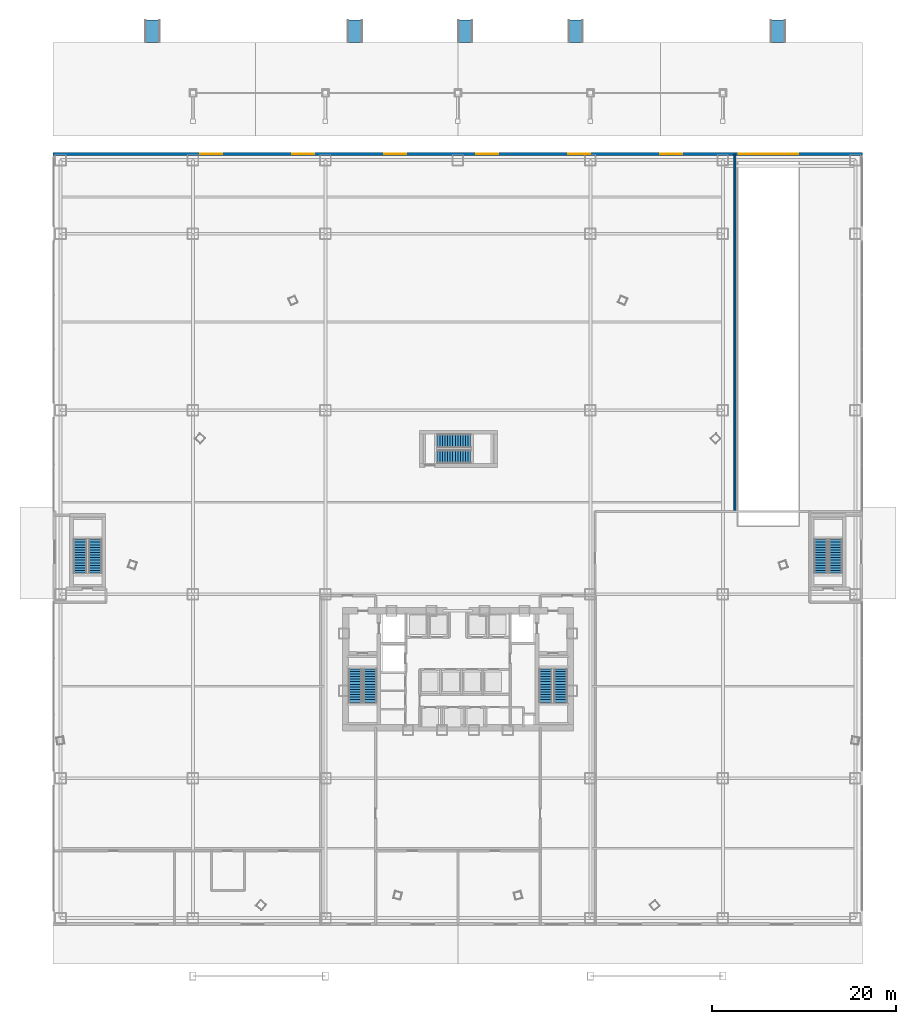
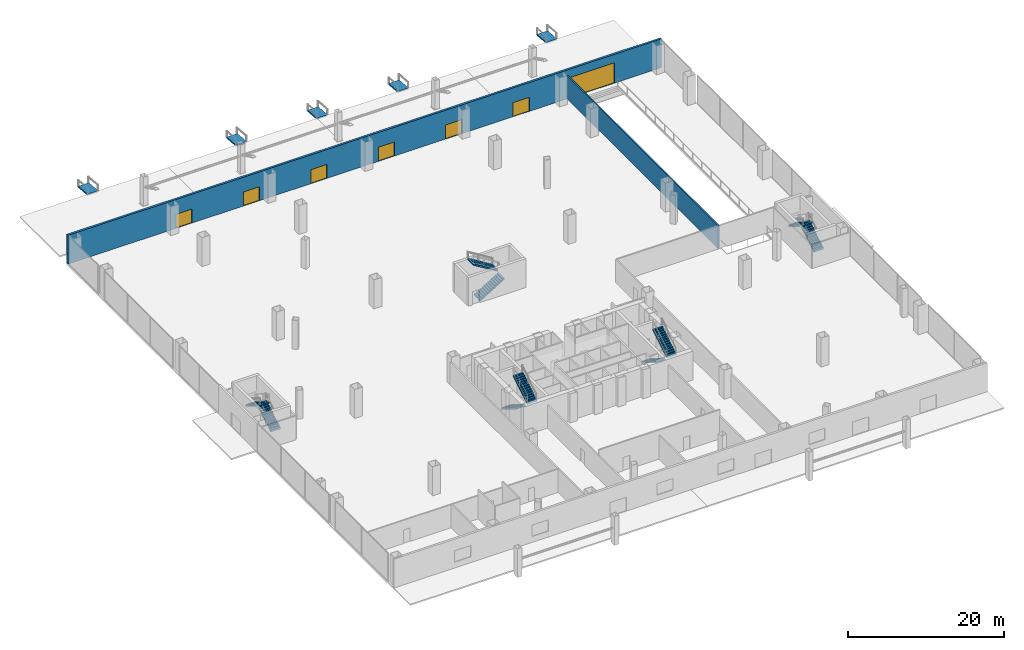
# One storey, part 53 of 58: 10 stair flights, 7 doors, 5 ramp flights, 2 walls, 7 openings, 10 elements without a shape of their own.
"""IFC4 building model written with IfcOpenShell, lengths in metres."""

from ifc_helpers import new_model, si_unit, direction, frame, frame_2d, origin, place, context, subcontext, project, spatial, polyline, rectangle, outline, extrude, source, transform, mapped, material, layer, layer_set, type_object, element, fill, aggregate, save


model = new_model("IFC4")

# Units and contexts
model_context = context("Model", 3, precision=1e-05, world=origin(), true_north=direction((0.0, 1.0)))
body_context = subcontext(model_context, "Body", "Model", "MODEL_VIEW")
ifc_project = project(units=[si_unit("LENGTHUNIT", "METRE"), si_unit("AREAUNIT", "SQUARE_METRE"), si_unit("VOLUMEUNIT", "CUBIC_METRE"), si_unit("PLANEANGLEUNIT", "RADIAN"), si_unit("MASSUNIT", "GRAM", prefix="KILO"), si_unit("THERMODYNAMICTEMPERATUREUNIT", "KELVIN"), si_unit("POWERUNIT", "WATT")], contexts=[model_context])

# Site, building, storey
site_placement = place(None, origin())
site = spatial("IfcSite", under=ifc_project, at=site_placement, CompositionType="ELEMENT")
building_placement = place(site_placement, origin())
building = spatial("IfcBuilding", under=site, at=building_placement, Name="Yunzhuo Pagoda Commons", CompositionType="ELEMENT")
storey_placement = place(building_placement, origin())
storey = spatial("IfcBuildingStorey", under=building, at=storey_placement, Name="L01", CompositionType="ELEMENT", Elevation=0.0)

# Wall, openings, doors
ifc_material_1 = material(Name="Precast concrete C40", Category="concrete")
ifc_layer_1 = layer(ifc_material_1, 0.300048828125)
ifc_layer_set_1 = layer_set([ifc_layer_1], Name="Precast concrete C40")
wall_type_1 = type_object("IfcWallType", Name="W-EXT1 Podium Precast Spandrel Wall 300", PredefinedType="STANDARD", material=ifc_layer_set_1)
wall_1_placement = place(storey_placement, frame((92.0, 89.85009765625, 0.0), z_axis=(0.0, 0.0, 1.0), x_axis=(-1.0, 0.0, 0.0)))
wall_1 = element("IfcWall", 1, at=wall_1_placement, inside=storey, type_object=wall_type_1, Name="L01 north waterfront wall", PredefinedType="STANDARD", context=body_context, shape_type="SweptSolid", body=[
    extrude(rectangle(XDim=88.0, YDim=0.300048828125, at=frame_2d((44.0, 0.0))), origin(), (0.0, 0.0, 1.0), 4.52001953125),
])
opening_1_placement = place(wall_1_placement, frame((69.60009765625, 0.0, 0.0)))
opening_1 = element("IfcOpeningElement", 2, at=opening_1_placement, cuts=wall_1, Name="Opening D-EXT1", PredefinedType="OPENING", context=body_context, shape_type="SweptSolid", body=[
    extrude(rectangle(XDim=2.39990234375, YDim=2.199951171875, at=frame_2d((1.199951171875, 1.10009765625))), frame((0.0, 0.16015625, 0.0), z_axis=(0.0, -1.0, 0.0), x_axis=(1.0, 0.0, 0.0)), (0.0, 0.0, 1.0), 0.320068359375),
])
opening_2_placement = place(wall_1_placement, frame((59.60009765625, 0.0, 0.0)))
opening_2 = element("IfcOpeningElement", 3, at=opening_2_placement, cuts=wall_1, Name="Opening D-EXT1", PredefinedType="OPENING", context=body_context, shape_type="SweptSolid", body=[
    extrude(rectangle(XDim=2.39990234375, YDim=2.199951171875, at=frame_2d((1.199951171875, 1.10009765625))), frame((0.0, 0.16015625, 0.0), z_axis=(0.0, -1.0, 0.0), x_axis=(1.0, 0.0, 0.0)), (0.0, 0.0, 1.0), 0.320068359375),
])
opening_3_placement = place(wall_1_placement, frame((49.60009765625, 0.0, 0.0)))
opening_3 = element("IfcOpeningElement", 4, at=opening_3_placement, cuts=wall_1, Name="Opening D-EXT1", PredefinedType="OPENING", context=body_context, shape_type="SweptSolid", body=[
    extrude(rectangle(XDim=2.39990234375, YDim=2.199951171875, at=frame_2d((1.199951171875, 1.10009765625))), frame((0.0, 0.16015625, 0.0), z_axis=(0.0, -1.0, 0.0), x_axis=(1.0, 0.0, 0.0)), (0.0, 0.0, 1.0), 0.320068359375),
])
opening_4_placement = place(wall_1_placement, frame((39.60009765625, 0.0, 0.0)))
opening_4 = element("IfcOpeningElement", 5, at=opening_4_placement, cuts=wall_1, Name="Opening D-EXT1", PredefinedType="OPENING", context=body_context, shape_type="SweptSolid", body=[
    extrude(rectangle(XDim=2.39990234375, YDim=2.199951171875, at=frame_2d((1.199951171875, 1.10009765625))), frame((0.0, 0.16015625, 0.0), z_axis=(0.0, -1.0, 0.0), x_axis=(1.0, 0.0, 0.0)), (0.0, 0.0, 1.0), 0.320068359375),
])
opening_5_placement = place(wall_1_placement, frame((29.60009765625, 0.0, 0.0)))
opening_5 = element("IfcOpeningElement", 6, at=opening_5_placement, cuts=wall_1, Name="Opening D-EXT1", PredefinedType="OPENING", context=body_context, shape_type="SweptSolid", body=[
    extrude(rectangle(XDim=2.39990234375, YDim=2.199951171875, at=frame_2d((1.199951171875, 1.10009765625))), frame((0.0, 0.16015625, 0.0), z_axis=(0.0, -1.0, 0.0), x_axis=(1.0, 0.0, 0.0)), (0.0, 0.0, 1.0), 0.320068359375),
])
opening_6_placement = place(wall_1_placement, frame((19.60009765625, 0.0, 0.0)))
opening_6 = element("IfcOpeningElement", 7, at=opening_6_placement, cuts=wall_1, Name="Opening D-EXT1", PredefinedType="OPENING", context=body_context, shape_type="SweptSolid", body=[
    extrude(rectangle(XDim=2.39990234375, YDim=2.199951171875, at=frame_2d((1.199951171875, 1.10009765625))), frame((0.0, 0.16015625, 0.0), z_axis=(0.0, -1.0, 0.0), x_axis=(1.0, 0.0, 0.0)), (0.0, 0.0, 1.0), 0.320068359375),
])
opening_7_placement = place(wall_1_placement, frame((7.0, 0.0, 0.0)))
opening_7 = element("IfcOpeningElement", 8, at=opening_7_placement, cuts=wall_1, Name="Opening D-GATE1", PredefinedType="OPENING", context=body_context, shape_type="SweptSolid", body=[
    extrude(rectangle(XDim=6.5, YDim=3.199951171875, at=frame_2d((3.25, 1.60009765625))), frame((0.0, 0.16015625, 0.0), z_axis=(0.0, -1.0, 0.0), x_axis=(1.0, 0.0, 0.0)), (0.0, 0.0, 1.0), 0.320068359375),
])
ifc_material_2 = material(Name="Anodized aluminium frame and tempered glazed leaf", Category="aluminium")
door_type_1 = type_object("IfcDoorType", Name="D-EXT1 Double Glazed Pedestrian Exit Door 2400x2200", OperationType="DOUBLE_DOOR_SINGLE_SWING", PredefinedType="DOOR", material=ifc_material_2)
shared_shape_1 = source(origin(), body_context, "Body", "SweptSolid", [
    extrude(rectangle(XDim=2.39990234375, YDim=2.199951171875, at=frame_2d((1.199951171875, 1.10009765625))), frame((0.0, 0.02490234375, 0.0), z_axis=(0.0, -1.0, 0.0), x_axis=(1.0, 0.0, 0.0)), (0.0, 0.0, 1.0), 0.050048828125),
])
door_1_placement = place(opening_1_placement, frame((2.39990234375, 0.0, 0.0), z_axis=(0.0, 0.0, 1.0), x_axis=(-1.0, 0.0, 0.0)))
door_1 = element("IfcDoor", 9, at=door_1_placement, inside=storey, type_object=door_type_1, Name="Waterfront concourse exit door N1", OperationType="DOUBLE_DOOR_SINGLE_SWING", OverallHeight=2.199951171875, OverallWidth=2.39990234375, PredefinedType="DOOR", context=body_context, shape_type="MappedRepresentation", body=[
    mapped(shared_shape_1, transform((0.0, 0.0, 0.0), scale=1.0)),
])
fill(opening_1, door_1)
door_2_placement = place(opening_2_placement, frame((2.39990234375, 0.0, 0.0), z_axis=(0.0, 0.0, 1.0), x_axis=(-1.0, 0.0, 0.0)))
door_2 = element("IfcDoor", 10, at=door_2_placement, inside=storey, type_object=door_type_1, Name="Waterfront concourse exit door N2", OperationType="DOUBLE_DOOR_SINGLE_SWING", OverallHeight=2.199951171875, OverallWidth=2.39990234375, PredefinedType="DOOR", context=body_context, shape_type="MappedRepresentation", body=[
    mapped(shared_shape_1, transform((0.0, 0.0, 0.0), scale=1.0)),
])
fill(opening_2, door_2)
door_3_placement = place(opening_3_placement, frame((2.39990234375, 0.0, 0.0), z_axis=(0.0, 0.0, 1.0), x_axis=(-1.0, 0.0, 0.0)))
door_3 = element("IfcDoor", 11, at=door_3_placement, inside=storey, type_object=door_type_1, Name="Waterfront concourse exit door N3", OperationType="DOUBLE_DOOR_SINGLE_SWING", OverallHeight=2.199951171875, OverallWidth=2.39990234375, PredefinedType="DOOR", context=body_context, shape_type="MappedRepresentation", body=[
    mapped(shared_shape_1, transform((0.0, 0.0, 0.0), scale=1.0)),
])
fill(opening_3, door_3)
door_4_placement = place(opening_4_placement, frame((2.39990234375, 0.0, 0.0), z_axis=(0.0, 0.0, 1.0), x_axis=(-1.0, 0.0, 0.0)))
door_4 = element("IfcDoor", 12, at=door_4_placement, inside=storey, type_object=door_type_1, Name="Waterfront concourse exit door N4", OperationType="DOUBLE_DOOR_SINGLE_SWING", OverallHeight=2.199951171875, OverallWidth=2.39990234375, PredefinedType="DOOR", context=body_context, shape_type="MappedRepresentation", body=[
    mapped(shared_shape_1, transform((0.0, 0.0, 0.0), scale=1.0)),
])
fill(opening_4, door_4)
door_5_placement = place(opening_5_placement, frame((2.39990234375, 0.0, 0.0), z_axis=(0.0, 0.0, 1.0), x_axis=(-1.0, 0.0, 0.0)))
door_5 = element("IfcDoor", 13, at=door_5_placement, inside=storey, type_object=door_type_1, Name="Waterfront concourse exit door N5", OperationType="DOUBLE_DOOR_SINGLE_SWING", OverallHeight=2.199951171875, OverallWidth=2.39990234375, PredefinedType="DOOR", context=body_context, shape_type="MappedRepresentation", body=[
    mapped(shared_shape_1, transform((0.0, 0.0, 0.0), scale=1.0)),
])
fill(opening_5, door_5)
door_6_placement = place(opening_6_placement, frame((2.39990234375, 0.0, 0.0), z_axis=(0.0, 0.0, 1.0), x_axis=(-1.0, 0.0, 0.0)))
door_6 = element("IfcDoor", 14, at=door_6_placement, inside=storey, type_object=door_type_1, Name="Waterfront concourse exit door N6", OperationType="DOUBLE_DOOR_SINGLE_SWING", OverallHeight=2.199951171875, OverallWidth=2.39990234375, PredefinedType="DOOR", context=body_context, shape_type="MappedRepresentation", body=[
    mapped(shared_shape_1, transform((0.0, 0.0, 0.0), scale=1.0)),
])
fill(opening_6, door_6)
ifc_material_3 = material(Name="Powder-coated aluminium roller shutter slats", Category="aluminium")
door_type_2 = type_object("IfcDoorType", Name="D-GATE1 Vehicle Ramp Roller Shutter Gate 6500x3200", OperationType="ROLLINGUP", PredefinedType="GATE", material=ifc_material_3)
shared_shape_2 = source(origin(), body_context, "Body", "SweptSolid", [
    extrude(rectangle(XDim=6.5, YDim=3.199951171875, at=frame_2d((3.25, 1.60009765625))), frame((0.0, 0.02490234375, 0.0), z_axis=(0.0, -1.0, 0.0), x_axis=(1.0, 0.0, 0.0)), (0.0, 0.0, 1.0), 0.050048828125),
])
door_7_placement = place(opening_7_placement, frame((6.5, 0.0, 0.0), z_axis=(0.0, 0.0, 1.0), x_axis=(-1.0, 0.0, 0.0)))
door_7 = element("IfcDoor", 15, at=door_7_placement, inside=storey, type_object=door_type_2, Name="Car park vehicle ramp roller shutter gate D-GATE1", OperationType="ROLLINGUP", OverallHeight=3.199951171875, OverallWidth=6.5, PredefinedType="GATE", context=body_context, shape_type="MappedRepresentation", body=[
    mapped(shared_shape_2, transform((0.0, 0.0, 0.0), scale=1.0)),
])
fill(opening_7, door_7)

# Wall
ifc_material_4 = material(Name="Concrete C40", Category="concrete")
ifc_layer_2 = layer(ifc_material_4, 0.199951171875)
ifc_layer_set_2 = layer_set([ifc_layer_2], Name="Concrete C40")
wall_type_2 = type_object("IfcWallType", Name="W-SHF Shaft & Stair Enclosure Wall 200", PredefinedType="SOLIDWALL", material=ifc_layer_set_2)
wall_2_placement = place(storey_placement, frame((78.10009765625, 51.0, 0.0), z_axis=(0.0, 0.0, 1.0), x_axis=(0.0, 1.0, 0.0)))
element("IfcWall", 16, at=wall_2_placement, inside=storey, type_object=wall_type_2, Name="L01 interior wall IW-L01-RMPW", PredefinedType="SOLIDWALL", context=body_context, shape_type="SweptSolid", body=[
    extrude(rectangle(XDim=38.85009765625, YDim=0.199951171875, at=frame_2d((19.425048828125, 0.0))), origin(), (0.0, 0.0, 1.0), 3.6201171875),
])

# Stair, stair flights
stair_type_1 = type_object("IfcStairType", Name="ST-C1 Core Smokeproof Stair ST1", PredefinedType="HALF_TURN_STAIR", material=ifc_material_4)
stair_1_placement = place(storey_placement, origin())
stair_1 = element("IfcStair", 17, at=stair_1_placement, inside=storey, type_object=stair_type_1, Name="L01 Core smokeproof stair ST1", PredefinedType="HALF_TURN_STAIR")
stair_flight_type_1 = type_object("IfcStairFlightType", Name="STF-C1 Core Stair Flight 1450", PredefinedType="STRAIGHT", material=ifc_material_4)
shared_shape_3 = source(origin(), body_context, "Body", "SweptSolid", [
    extrude(outline(polyline([(0.0, -0.14990234375), (0.0, 0.0), (0.0, 0.17138671875), (0.280029296875, 0.17138671875), (0.280029296875, 0.3427734375), (0.56005859375, 0.3427734375), (0.56005859375, 0.514404296875), (0.840087890625, 0.514404296875), (0.840087890625, 0.685791015625), (1.1201171875, 0.685791015625), (1.1201171875, 0.857177734375), (1.39990234375, 0.857177734375), (1.39990234375, 1.028564453125), (1.679931640625, 1.028564453125), (1.679931640625, 1.199951171875), (1.9599609375, 1.199951171875), (1.9599609375, 1.371337890625), (2.239990234375, 1.371337890625), (2.239990234375, 1.54296875), (2.52001953125, 1.54296875), (2.52001953125, 1.71435546875), (2.800048828125, 1.71435546875), (2.800048828125, 1.8857421875), (3.080078125, 1.8857421875), (3.080078125, 2.05712890625), (3.360107421875, 2.05712890625), (3.360107421875, 2.228515625), (3.639892578125, 2.228515625), (3.639892578125, 2.39990234375), (3.639892578125, 2.052734375), (0.287109375, 0.0), (0.050048828125, -0.14990234375), (0.0, -0.14990234375)])), frame((0.0, 0.72509765625, 0.0), z_axis=(0.0, -1.0, 0.0), x_axis=(1.0, 0.0, 0.0)), (0.0, 0.0, 1.0), 1.449951171875),
])
stair_flight_1_placement = place(storey_placement, frame((36.824951171875, 33.89990234375, 0.0), z_axis=(0.0, 0.0, 1.0), x_axis=(0.0, -1.0, 0.0)))
stair_flight_1 = element("IfcStairFlight", 18, at=stair_flight_1_placement, type_object=stair_flight_type_1, Name="ST1 flight 1", NumberOfRisers=14, NumberOfTreads=13, PredefinedType="STRAIGHT", RiserHeight=0.171428571, TreadLength=0.28, context=body_context, shape_type="MappedRepresentation", body=[
    mapped(shared_shape_3, transform((0.0, 0.0, 0.0), scale=1.0)),
])
stair_flight_2_placement = place(storey_placement, frame((38.47509765625, 30.260009765625, 2.39990234375), z_axis=(0.0, 0.0, 1.0), x_axis=(0.0, 1.0, 0.0)))
stair_flight_2 = element("IfcStairFlight", 19, at=stair_flight_2_placement, type_object=stair_flight_type_1, Name="ST1 flight 2", NumberOfRisers=14, NumberOfTreads=13, PredefinedType="STRAIGHT", RiserHeight=0.171428571, TreadLength=0.28, context=body_context, shape_type="MappedRepresentation", body=[
    mapped(shared_shape_3, transform((0.0, 0.0, 0.0), scale=1.0)),
])
aggregate(stair_1, [stair_flight_1, stair_flight_2])

stair_type_2 = type_object("IfcStairType", Name="ST-C2 Core Smokeproof Stair ST2", PredefinedType="HALF_TURN_STAIR", material=ifc_material_4)
stair_2_placement = place(storey_placement, origin())
stair_2 = element("IfcStair", 20, at=stair_2_placement, inside=storey, type_object=stair_type_2, Name="L01 Core smokeproof stair ST2", PredefinedType="HALF_TURN_STAIR")
stair_flight_type_2 = type_object("IfcStairFlightType", Name="STF-C2 Core Stair Flight 1460", PredefinedType="STRAIGHT", material=ifc_material_4)
stair_flight_3_placement = place(storey_placement, frame((57.52490234375, 33.89990234375, 0.0), z_axis=(0.0, 0.0, 1.0), x_axis=(0.0, -1.0, 0.0)))
stair_flight_3 = element("IfcStairFlight", 21, at=stair_flight_3_placement, type_object=stair_flight_type_2, Name="ST2 flight 1", NumberOfRisers=14, NumberOfTreads=13, PredefinedType="STRAIGHT", RiserHeight=0.171428571, TreadLength=0.28, context=body_context, shape_type="MappedRepresentation", body=[
    mapped(shared_shape_3, transform((0.0, 0.0, 0.0), scale=1.0)),
])
stair_flight_4_placement = place(storey_placement, frame((59.175048828125, 30.260009765625, 2.39990234375), z_axis=(0.0, 0.0, 1.0), x_axis=(0.0, 1.0, 0.0)))
stair_flight_4 = element("IfcStairFlight", 22, at=stair_flight_4_placement, type_object=stair_flight_type_2, Name="ST2 flight 2", NumberOfRisers=14, NumberOfTreads=13, PredefinedType="STRAIGHT", RiserHeight=0.171428571, TreadLength=0.28, context=body_context, shape_type="MappedRepresentation", body=[
    mapped(shared_shape_3, transform((0.0, 0.0, 0.0), scale=1.0)),
])
aggregate(stair_2, [stair_flight_3, stair_flight_4])

stair_type_3 = type_object("IfcStairType", Name="ST-P3 Podium Exit Stair PS3", PredefinedType="HALF_TURN_STAIR", material=ifc_material_4)
stair_3_placement = place(storey_placement, origin())
stair_3 = element("IfcStair", 23, at=stair_3_placement, inside=storey, type_object=stair_type_3, Name="L01 Podium exit stair PS3", PredefinedType="HALF_TURN_STAIR")
stair_flight_type_3 = type_object("IfcStairFlightType", Name="STF-P3 Podium Stair Flight 1455", PredefinedType="STRAIGHT", material=ifc_material_4)
stair_flight_5_placement = place(storey_placement, frame((8.574951171875, 44.300048828125, 0.0), z_axis=(0.0, 0.0, 1.0), x_axis=(0.0, 1.0, 0.0)))
stair_flight_5 = element("IfcStairFlight", 24, at=stair_flight_5_placement, type_object=stair_flight_type_3, Name="PS3 flight 1", NumberOfRisers=14, NumberOfTreads=13, PredefinedType="STRAIGHT", RiserHeight=0.171428571, TreadLength=0.28, context=body_context, shape_type="MappedRepresentation", body=[
    mapped(shared_shape_3, transform((0.0, 0.0, 0.0), scale=1.0)),
])
stair_flight_6_placement = place(storey_placement, frame((6.925048828125, 47.93994140625, 2.39990234375), z_axis=(0.0, 0.0, 1.0), x_axis=(0.0, -1.0, 0.0)))
stair_flight_6 = element("IfcStairFlight", 25, at=stair_flight_6_placement, type_object=stair_flight_type_3, Name="PS3 flight 2", NumberOfRisers=14, NumberOfTreads=13, PredefinedType="STRAIGHT", RiserHeight=0.171428571, TreadLength=0.28, context=body_context, shape_type="MappedRepresentation", body=[
    mapped(shared_shape_3, transform((0.0, 0.0, 0.0), scale=1.0)),
])
aggregate(stair_3, [stair_flight_5, stair_flight_6])

stair_type_4 = type_object("IfcStairType", Name="ST-P4 Podium Exit Stair PS4", PredefinedType="HALF_TURN_STAIR", material=ifc_material_4)
stair_4_placement = place(storey_placement, origin())
stair_4 = element("IfcStair", 26, at=stair_4_placement, inside=storey, type_object=stair_type_4, Name="L01 Podium exit stair PS4", PredefinedType="HALF_TURN_STAIR")
stair_flight_type_4 = type_object("IfcStairFlightType", Name="STF-P4 Podium Stair Flight 1465", PredefinedType="STRAIGHT", material=ifc_material_4)
stair_flight_7_placement = place(storey_placement, frame((89.074951171875, 44.300048828125, 0.0), z_axis=(0.0, 0.0, 1.0), x_axis=(0.0, 1.0, 0.0)))
stair_flight_7 = element("IfcStairFlight", 27, at=stair_flight_7_placement, type_object=stair_flight_type_4, Name="PS4 flight 1", NumberOfRisers=14, NumberOfTreads=13, PredefinedType="STRAIGHT", RiserHeight=0.171428571, TreadLength=0.28, context=body_context, shape_type="MappedRepresentation", body=[
    mapped(shared_shape_3, transform((0.0, 0.0, 0.0), scale=1.0)),
])
stair_flight_8_placement = place(storey_placement, frame((87.425048828125, 47.93994140625, 2.39990234375), z_axis=(0.0, 0.0, 1.0), x_axis=(0.0, -1.0, 0.0)))
stair_flight_8 = element("IfcStairFlight", 28, at=stair_flight_8_placement, type_object=stair_flight_type_4, Name="PS4 flight 2", NumberOfRisers=14, NumberOfTreads=13, PredefinedType="STRAIGHT", RiserHeight=0.171428571, TreadLength=0.28, context=body_context, shape_type="MappedRepresentation", body=[
    mapped(shared_shape_3, transform((0.0, 0.0, 0.0), scale=1.0)),
])
aggregate(stair_4, [stair_flight_7, stair_flight_8])

stair_type_5 = type_object("IfcStairType", Name="ST-C3 North Tower Smokeproof Stair ST3", PredefinedType="HALF_TURN_STAIR", material=ifc_material_4)
stair_5_placement = place(storey_placement, origin())
stair_5 = element("IfcStair", 29, at=stair_5_placement, inside=storey, type_object=stair_type_5, Name="L01 North tower smokeproof stair ST3", PredefinedType="HALF_TURN_STAIR")
stair_flight_type_5 = type_object("IfcStairFlightType", Name="STF-C3 North Stair Flight 1500", PredefinedType="STRAIGHT", material=ifc_material_4)
shared_shape_4 = source(origin(), body_context, "Body", "SweptSolid", [
    extrude(outline(polyline([(0.0, -0.14990234375), (0.0, 0.0), (0.0, 0.17138671875), (0.280029296875, 0.17138671875), (0.280029296875, 0.3427734375), (0.56005859375, 0.3427734375), (0.56005859375, 0.514404296875), (0.840087890625, 0.514404296875), (0.840087890625, 0.685791015625), (1.1201171875, 0.685791015625), (1.1201171875, 0.857177734375), (1.39990234375, 0.857177734375), (1.39990234375, 1.028564453125), (1.679931640625, 1.028564453125), (1.679931640625, 1.199951171875), (1.9599609375, 1.199951171875), (1.9599609375, 1.371337890625), (2.239990234375, 1.371337890625), (2.239990234375, 1.54296875), (2.52001953125, 1.54296875), (2.52001953125, 1.71435546875), (2.800048828125, 1.71435546875), (2.800048828125, 1.8857421875), (3.080078125, 1.8857421875), (3.080078125, 2.05712890625), (3.360107421875, 2.05712890625), (3.360107421875, 2.228515625), (3.639892578125, 2.228515625), (3.639892578125, 2.39990234375), (3.639892578125, 2.052734375), (0.287109375, 0.0), (0.050048828125, -0.14990234375), (0.0, -0.14990234375)])), frame((0.0, 0.75, 0.0), z_axis=(0.0, -1.0, 0.0), x_axis=(1.0, 0.0, 0.0)), (0.0, 0.0, 1.0), 1.5),
])
stair_flight_9_placement = place(storey_placement, frame((45.75, 56.949951171875, 0.0), z_axis=(0.0, 0.0, 1.0), x_axis=(1.0, 0.0, 0.0)))
stair_flight_9 = element("IfcStairFlight", 30, at=stair_flight_9_placement, type_object=stair_flight_type_5, Name="ST3 flight 1", NumberOfRisers=14, NumberOfTreads=13, PredefinedType="STRAIGHT", RiserHeight=0.171428571, TreadLength=0.28, context=body_context, shape_type="MappedRepresentation", body=[
    mapped(shared_shape_4, transform((0.0, 0.0, 0.0), scale=1.0)),
])
stair_flight_10_placement = place(storey_placement, frame((49.389892578125, 58.64990234375, 2.39990234375), z_axis=(0.0, 0.0, 1.0), x_axis=(-1.0, 0.0, 0.0)))
stair_flight_10 = element("IfcStairFlight", 31, at=stair_flight_10_placement, type_object=stair_flight_type_5, Name="ST3 flight 2", NumberOfRisers=14, NumberOfTreads=13, PredefinedType="STRAIGHT", RiserHeight=0.171428571, TreadLength=0.28, context=body_context, shape_type="MappedRepresentation", body=[
    mapped(shared_shape_4, transform((0.0, 0.0, 0.0), scale=1.0)),
])
aggregate(stair_5, [stair_flight_9, stair_flight_10])

# Ramp, ramp flight
ramp_type = type_object("IfcRampType", Name="RMP-PED1 Accessible Waterfront Promenade Ramp 1600", PredefinedType="STRAIGHT_RUN_RAMP", material=ifc_material_4)
ramp_1_placement = place(storey_placement, origin())
ramp_1 = element("IfcRamp", 32, at=ramp_1_placement, inside=storey, type_object=ramp_type, Name="Accessible waterfront promenade ramp 1", PredefinedType="STRAIGHT_RUN_RAMP")
ifc_layer_3 = layer(ifc_material_4, 0.199951171875)
ifc_layer_set_3 = layer_set([ifc_layer_3], Name="Concrete C40")
ramp_flight_type = type_object("IfcRampFlightType", Name="RMPF-PED1 Accessible Promenade Ramp Flight 1600", PredefinedType="STRAIGHT", material=ifc_layer_set_3)
ramp_flight_1_placement = place(storey_placement, frame((14.0, 104.39990234375, -0.199951171875), z_axis=(0.0, 0.083028700011, 0.996547156423), x_axis=(1.0, 0.0, 0.0)))
ramp_flight_1 = element("IfcRampFlight", 33, at=ramp_flight_1_placement, type_object=ramp_flight_type, Name="Accessible promenade ramp flight 1", PredefinedType="STRAIGHT", context=body_context, shape_type="SweptSolid", body=[
    extrude(outline(polyline([(0.0, 0.0), (1.60009765625, 0.0), (1.60009765625, -2.408203125), (0.0, -2.408203125), (0.0, 0.0)])), origin(), (0.0, 0.0, -1.0), 0.199951171875),
])
aggregate(ramp_1, [ramp_flight_1])

ramp_2_placement = place(storey_placement, origin())
ramp_2 = element("IfcRamp", 34, at=ramp_2_placement, inside=storey, type_object=ramp_type, Name="Accessible waterfront promenade ramp 2", PredefinedType="STRAIGHT_RUN_RAMP")
ramp_flight_2_placement = place(storey_placement, frame((36.0, 104.39990234375, -0.199951171875), z_axis=(0.0, 0.083028700011, 0.996547156423), x_axis=(1.0, 0.0, 0.0)))
ramp_flight_2 = element("IfcRampFlight", 35, at=ramp_flight_2_placement, type_object=ramp_flight_type, Name="Accessible promenade ramp flight 2", PredefinedType="STRAIGHT", context=body_context, shape_type="SweptSolid", body=[
    extrude(outline(polyline([(0.0, 0.0), (1.60009765625, 0.0), (1.60009765625, -2.408203125), (0.0, -2.408203125), (0.0, 0.0)])), origin(), (0.0, 0.0, -1.0), 0.199951171875),
])
aggregate(ramp_2, [ramp_flight_2])

ramp_3_placement = place(storey_placement, origin())
ramp_3 = element("IfcRamp", 36, at=ramp_3_placement, inside=storey, type_object=ramp_type, Name="Accessible waterfront promenade ramp 3", PredefinedType="STRAIGHT_RUN_RAMP")
ramp_flight_3_placement = place(storey_placement, frame((48.0, 104.39990234375, -0.199951171875), z_axis=(0.0, 0.083028700011, 0.996547156423), x_axis=(1.0, 0.0, 0.0)))
ramp_flight_3 = element("IfcRampFlight", 37, at=ramp_flight_3_placement, type_object=ramp_flight_type, Name="Accessible promenade ramp flight 3", PredefinedType="STRAIGHT", context=body_context, shape_type="SweptSolid", body=[
    extrude(outline(polyline([(0.0, 0.0), (1.60009765625, 0.0), (1.60009765625, -2.408203125), (0.0, -2.408203125), (0.0, 0.0)])), origin(), (0.0, 0.0, -1.0), 0.199951171875),
])
aggregate(ramp_3, [ramp_flight_3])

ramp_4_placement = place(storey_placement, origin())
ramp_4 = element("IfcRamp", 38, at=ramp_4_placement, inside=storey, type_object=ramp_type, Name="Accessible waterfront promenade ramp 4", PredefinedType="STRAIGHT_RUN_RAMP")
ramp_flight_4_placement = place(storey_placement, frame((60.0, 104.39990234375, -0.199951171875), z_axis=(0.0, 0.083028700011, 0.996547156423), x_axis=(1.0, 0.0, 0.0)))
ramp_flight_4 = element("IfcRampFlight", 39, at=ramp_flight_4_placement, type_object=ramp_flight_type, Name="Accessible promenade ramp flight 4", PredefinedType="STRAIGHT", context=body_context, shape_type="SweptSolid", body=[
    extrude(outline(polyline([(0.0, 0.0), (1.60009765625, 0.0), (1.60009765625, -2.408203125), (0.0, -2.408203125), (0.0, 0.0)])), origin(), (0.0, 0.0, -1.0), 0.199951171875),
])
aggregate(ramp_4, [ramp_flight_4])

ramp_5_placement = place(storey_placement, origin())
ramp_5 = element("IfcRamp", 40, at=ramp_5_placement, inside=storey, type_object=ramp_type, Name="Accessible waterfront promenade ramp 5", PredefinedType="STRAIGHT_RUN_RAMP")
ramp_flight_5_placement = place(storey_placement, frame((82.0, 104.39990234375, -0.199951171875), z_axis=(0.0, 0.083028700011, 0.996547156423), x_axis=(1.0, 0.0, 0.0)))
ramp_flight_5 = element("IfcRampFlight", 41, at=ramp_flight_5_placement, type_object=ramp_flight_type, Name="Accessible promenade ramp flight 5", PredefinedType="STRAIGHT", context=body_context, shape_type="SweptSolid", body=[
    extrude(outline(polyline([(0.0, 0.0), (1.60009765625, 0.0), (1.60009765625, -2.408203125), (0.0, -2.408203125), (0.0, 0.0)])), origin(), (0.0, 0.0, -1.0), 0.199951171875),
])
aggregate(ramp_5, [ramp_flight_5])

save(model, "model.ifc")
